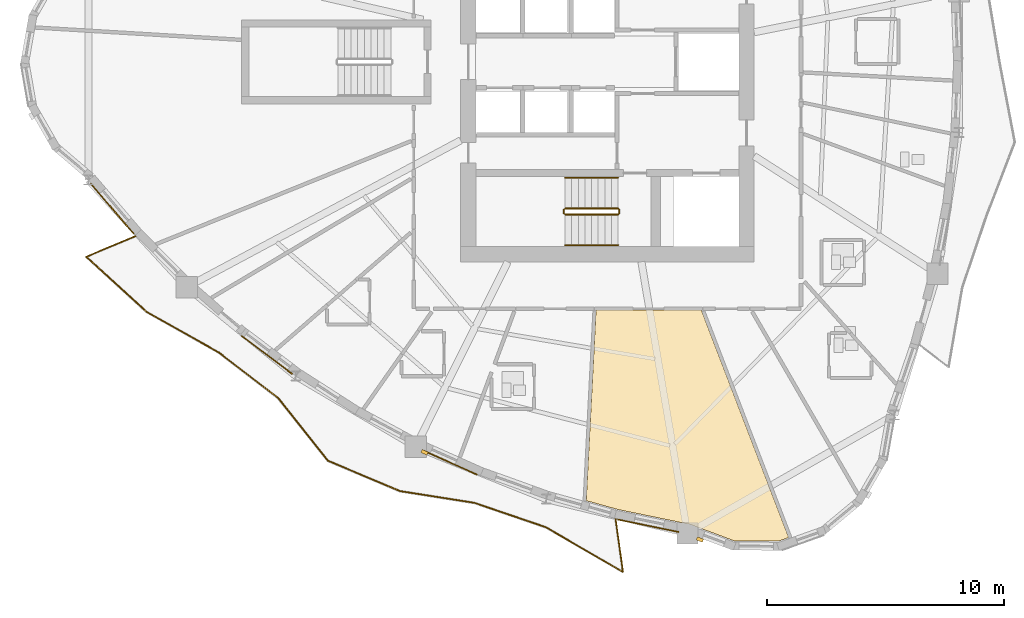
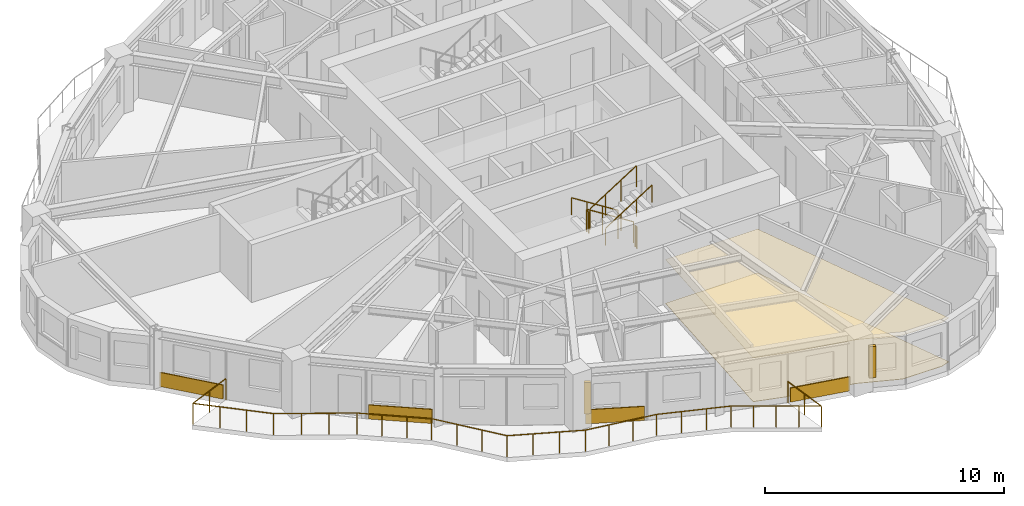
# One storey, part 10 of 13: 7 railings, 6 coverings, 2 shading devices.
"""IFC4 building model written with IfcOpenShell, lengths in metres."""

from ifc_helpers import new_model, si_unit, direction, frame, origin, origin_2d, place, context, subcontext, project, spatial, polyline, rectangle, circle, outline, extrude, source, transform, mapped, material, layer, layer_set, type_object, element, save


model = new_model("IFC4")

# Units and contexts
model_context = context("Model", 3, precision=1e-05, world=origin(), true_north=direction((0.0, 1.0)))
body_context = subcontext(model_context, "Body", "Model", "MODEL_VIEW")
ifc_project = project(units=[si_unit("LENGTHUNIT", "METRE"), si_unit("AREAUNIT", "SQUARE_METRE"), si_unit("VOLUMEUNIT", "CUBIC_METRE"), si_unit("PLANEANGLEUNIT", "RADIAN"), si_unit("MASSUNIT", "GRAM", prefix="KILO")], contexts=[model_context])

# Site, building, storey
site_placement = place(None, origin())
site = spatial("IfcSite", under=ifc_project, at=site_placement, CompositionType="ELEMENT")
building_placement = place(site_placement, origin())
building = spatial("IfcBuilding", under=site, at=building_placement, Name="Qafzar Sky-Pleat Residences", CompositionType="ELEMENT")
storey_placement = place(building_placement, frame((0.0, 0.0, 99.199951171875)))
storey = spatial("IfcBuildingStorey", under=building, at=storey_placement, Name="L29", CompositionType="ELEMENT", Elevation=99.199951171875)

# Coverings
ifc_material_1 = material(Name="Perforated acoustic gypsum board ceiling")
ifc_layer_1 = layer(ifc_material_1, 0.02001953125)
ifc_layer_set_1 = layer_set([ifc_layer_1], Name="Perforated acoustic gypsum board ceiling")
covering_type_1 = type_object("IfcCoveringType", Name="COV-CEIL-ACOUSTIC", PredefinedType="CEILING", material=ifc_layer_set_1)
covering_1_placement = place(storey_placement, frame((0.0, 0.0, 2.239990234375)))
element("IfcCovering", 1, at=covering_1_placement, inside=storey, type_object=covering_type_1, Name="L29 Co-Living Lounge Acoustic Ceiling", PredefinedType="CEILING", context=body_context, shape_type="SweptSolid", body=[
    extrude(outline(polyline([(37.58349609375, 5.749267578125), (35.69873046875, 5.76220703125), (33.840087890625, 6.456298828125), (30.7822265625, 7.086181640625), (29.45166015625, 7.45849609375), (29.867919921875, 15.510009765625), (34.315185546875, 15.510009765625), (38.006591796875, 5.900634765625), (37.58349609375, 5.749267578125)])), origin(), (0.0, 0.0, 1.0), 0.02001953125),
])
ifc_material_2 = material(Name="Honed porcelain and Riyadh stone tile flooring", Category="masonry")
ifc_layer_2 = layer(ifc_material_2, 0.02001953125)
ifc_layer_set_2 = layer_set([ifc_layer_2], Name="Honed porcelain and Riyadh stone tile flooring")
covering_type_2 = type_object("IfcCoveringType", Name="COV-FLR-PORCELAIN", PredefinedType="FLOORING", material=ifc_layer_set_2)
covering_2_placement = place(storey_placement, origin())
element("IfcCovering", 2, at=covering_2_placement, inside=storey, type_object=covering_type_2, Name="L29 Co-Living Lounge Honed Stone Flooring", PredefinedType="FLOORING", context=body_context, shape_type="SweptSolid", body=[
    extrude(outline(polyline([(37.58349609375, 5.749267578125), (35.69873046875, 5.76220703125), (33.840087890625, 6.456298828125), (30.7822265625, 7.086181640625), (29.45166015625, 7.45849609375), (29.867919921875, 15.510009765625), (34.315185546875, 15.510009765625), (38.006591796875, 5.900634765625), (37.58349609375, 5.749267578125)])), origin(), (0.0, 0.0, 1.0), 0.02001953125),
])

# Shading devices
ifc_material_3 = material(Name="Honed Riyadh limestone solar fin", Category="masonry")
ifc_layer_3 = layer(ifc_material_3, 0.139892578125)
ifc_layer_set_3 = layer_set([ifc_layer_3], Name="Honed Riyadh limestone solar fin")
shading_device_type = type_object("IfcShadingDeviceType", Name="SHD-FIN-STONE", PredefinedType="SHUTTER", material=ifc_layer_set_3)
shared_shape_1 = source(origin(), body_context, "Body", "SweptSolid", [
    extrude(rectangle(XDim=0.139892578125, YDim=0.280029296875, at=origin_2d()), origin(), (0.0, 0.0, 1.0), 1.60009765625),
])
for number, where, z_axis, x_axis, name in (
    (3, (22.621337890625, 9.502685546875, 0.60009765625), (0.0, 0.0, 1.0), (-0.407007311854, -0.913424900086, 0.0), "L29 Limestone Solar Fin 13"),
    (4, (34.257568359375, 5.814697265625, 0.60009765625), (0.0, 0.0, 1.0), (-0.349866381476, -0.936799613105, 0.0), "L29 Limestone Solar Fin 17"),
):
    element("IfcShadingDevice", number, at=place(storey_placement, frame(where, z_axis=z_axis, x_axis=x_axis)), inside=storey, type_object=shading_device_type, Name=name, PredefinedType="SHUTTER", context=body_context, shape_type="MappedRepresentation", body=[
        mapped(shared_shape_1, transform((0.0, 0.0, 0.0), x_axis=(1.0, 0.0, 0.0), y_axis=(0.0, 1.0, 0.0), z_axis=(0.0, 0.0, 1.0), scale=1.0)),
    ])

# Railing
ifc_material_4 = material(Name="Laminated glass and bronze steel balustrade", Category="steel")
railing_type_1 = type_object("IfcRailingType", Name="RAIL-BAL-1100", PredefinedType="BALUSTRADE", material=ifc_material_4)
shared_shape_2 = source(origin(), body_context, "Body", "SweptSolid", [
    extrude(circle(Radius=0.02392578125, at=origin_2d()), frame((0.0, 0.0, 1.076171875), z_axis=(-0.922372397599, -0.386301902853, 0.0), x_axis=(0.386301902853, -0.922372397599, 0.0)), (0.0, 0.0, 1.0), 2.270751953125),
    extrude(circle(Radius=0.02392578125, at=origin_2d()), frame((-2.094482421875, -0.877197265625, 1.076171875), z_axis=(0.737920092882, -0.67488809185, 0.0), x_axis=(0.67488809185, 0.737920092882, 0.0)), (0.0, 0.0, 1.0), 3.451171875),
    extrude(circle(Radius=0.02392578125, at=origin_2d()), frame((0.4521484375, -3.206298828125, 1.076171875), z_axis=(0.871838702574, -0.4897930958, 0.0), x_axis=(0.4897930958, 0.871838702574, 0.0)), (0.0, 0.0, 1.0), 3.49169921875),
    extrude(circle(Radius=0.02392578125, at=origin_2d()), frame((3.496337890625, -4.91650390625, 1.076171875), z_axis=(0.79366608484, -0.608353635458, 0.0), x_axis=(0.608353635458, 0.79366608484, 0.0)), (0.0, 0.0, 1.0), 3.157958984375),
    extrude(circle(Radius=0.02392578125, at=origin_2d()), frame((6.002685546875, -6.837646484375, 1.076171875), z_axis=(0.621723746758, -0.78323660711, 0.0), x_axis=(0.78323660711, 0.621723746758, 0.0)), (0.0, 0.0, 1.0), 3.39208984375),
    extrude(circle(Radius=0.02392578125, at=origin_2d()), frame((8.111572265625, -9.494384765625, 1.076171875), z_axis=(0.921530903709, -0.388305026376, 0.0), x_axis=(0.388305026376, 0.921530903709, 0.0)), (0.0, 0.0, 1.0), 3.30029296875),
    extrude(circle(Radius=0.02392578125, at=origin_2d()), frame((11.15283203125, -10.77587890625, 1.076171875), z_axis=(0.987713419374, -0.156276041632, 0.0), x_axis=(0.156276041632, 0.987713419374, 0.0)), (0.0, 0.0, 1.0), 3.199462890625),
    extrude(circle(Radius=0.02392578125, at=origin_2d()), frame((14.31298828125, -11.27587890625, 1.076171875), z_axis=(0.946044959925, -0.324035389735, 0.0), x_axis=(0.324035389735, 0.946044959925, 0.0)), (0.0, 0.0, 1.0), 3.17578125),
    extrude(circle(Radius=0.02392578125, at=origin_2d()), frame((17.3173828125, -12.304931640625, 1.076171875), z_axis=(0.865043001195, -0.501697723818, 0.0), x_axis=(0.501697723818, 0.865043001195, 0.0)), (0.0, 0.0, 1.0), 3.767578125),
    extrude(circle(Radius=0.02392578125, at=origin_2d()), frame((20.576416015625, -14.195068359375, 1.076171875), z_axis=(-0.138154338378, 0.990410712173, 0.0), x_axis=(-0.990410712173, -0.138154338378, 0.0)), (0.0, 0.0, 1.0), 2.270751953125),
    extrude(circle(Radius=0.02099609375, at=origin_2d()), origin(), (0.0, 0.0, 1.0), 1.052001953125),
    extrude(circle(Radius=0.02099609375, at=origin_2d()), frame((-1.04736328125, -0.4384765625, 0.0)), (0.0, 0.0, 1.0), 1.052001953125),
    extrude(circle(Radius=0.02099609375, at=origin_2d()), frame((-2.094482421875, -0.877197265625, 0.0)), (0.0, 0.0, 1.0), 1.052001953125),
    extrude(circle(Radius=0.02099609375, at=origin_2d()), frame((-1.24560546875, -1.653564453125, 0.0)), (0.0, 0.0, 1.0), 1.052001953125),
    extrude(circle(Radius=0.02099609375, at=origin_2d()), frame((-0.396728515625, -2.429931640625, 0.0)), (0.0, 0.0, 1.0), 1.052001953125),
    extrude(circle(Radius=0.02099609375, at=origin_2d()), frame((0.4521484375, -3.206298828125, 0.0)), (0.0, 0.0, 1.0), 1.052001953125),
    extrude(circle(Radius=0.02099609375, at=origin_2d()), frame((1.466796875, -3.7763671875, 0.0)), (0.0, 0.0, 1.0), 1.052001953125),
    extrude(circle(Radius=0.02099609375, at=origin_2d()), frame((2.481689453125, -4.346435546875, 0.0)), (0.0, 0.0, 1.0), 1.052001953125),
    extrude(circle(Radius=0.02099609375, at=origin_2d()), frame((3.496337890625, -4.91650390625, 0.0)), (0.0, 0.0, 1.0), 1.052001953125),
    extrude(circle(Radius=0.02099609375, at=origin_2d()), frame((4.331787109375, -5.556884765625, 0.0)), (0.0, 0.0, 1.0), 1.052001953125),
    extrude(circle(Radius=0.02099609375, at=origin_2d()), frame((5.167236328125, -6.197265625, 0.0)), (0.0, 0.0, 1.0), 1.052001953125),
    extrude(circle(Radius=0.02099609375, at=origin_2d()), frame((6.002685546875, -6.837646484375, 0.0)), (0.0, 0.0, 1.0), 1.052001953125),
    extrude(circle(Radius=0.02099609375, at=origin_2d()), frame((6.70556640625, -7.72314453125, 0.0)), (0.0, 0.0, 1.0), 1.052001953125),
    extrude(circle(Radius=0.02099609375, at=origin_2d()), frame((7.40869140625, -8.60888671875, 0.0)), (0.0, 0.0, 1.0), 1.052001953125),
    extrude(circle(Radius=0.02099609375, at=origin_2d()), frame((8.111572265625, -9.494384765625, 0.0)), (0.0, 0.0, 1.0), 1.052001953125),
    extrude(circle(Radius=0.02099609375, at=origin_2d()), frame((9.125244140625, -9.921630859375, 0.0)), (0.0, 0.0, 1.0), 1.052001953125),
    extrude(circle(Radius=0.02099609375, at=origin_2d()), frame((10.13916015625, -10.3486328125, 0.0)), (0.0, 0.0, 1.0), 1.052001953125),
    extrude(circle(Radius=0.02099609375, at=origin_2d()), frame((11.15283203125, -10.77587890625, 0.0)), (0.0, 0.0, 1.0), 1.052001953125),
    extrude(circle(Radius=0.02099609375, at=origin_2d()), frame((12.206298828125, -10.942626953125, 0.0)), (0.0, 0.0, 1.0), 1.052001953125),
    extrude(circle(Radius=0.02099609375, at=origin_2d()), frame((13.259521484375, -11.109130859375, 0.0)), (0.0, 0.0, 1.0), 1.052001953125),
    extrude(circle(Radius=0.02099609375, at=origin_2d()), frame((14.31298828125, -11.27587890625, 0.0)), (0.0, 0.0, 1.0), 1.052001953125),
    extrude(circle(Radius=0.02099609375, at=origin_2d()), frame((15.314453125, -11.618896484375, 0.0)), (0.0, 0.0, 1.0), 1.052001953125),
    extrude(circle(Radius=0.02099609375, at=origin_2d()), frame((16.31591796875, -11.9619140625, 0.0)), (0.0, 0.0, 1.0), 1.052001953125),
    extrude(circle(Radius=0.02099609375, at=origin_2d()), frame((17.3173828125, -12.304931640625, 0.0)), (0.0, 0.0, 1.0), 1.052001953125),
    extrude(circle(Radius=0.02099609375, at=origin_2d()), frame((18.132080078125, -12.77734375, 0.0)), (0.0, 0.0, 1.0), 1.052001953125),
    extrude(circle(Radius=0.02099609375, at=origin_2d()), frame((18.94677734375, -13.25, 0.0)), (0.0, 0.0, 1.0), 1.052001953125),
    extrude(circle(Radius=0.02099609375, at=origin_2d()), frame((19.76171875, -13.72265625, 0.0)), (0.0, 0.0, 1.0), 1.052001953125),
    extrude(circle(Radius=0.02099609375, at=origin_2d()), frame((20.576416015625, -14.195068359375, 0.0)), (0.0, 0.0, 1.0), 1.052001953125),
    extrude(circle(Radius=0.02099609375, at=origin_2d()), frame((20.41943359375, -13.070556640625, 0.0)), (0.0, 0.0, 1.0), 1.052001953125),
    extrude(circle(Radius=0.02099609375, at=origin_2d()), frame((20.2626953125, -11.946044921875, 0.0)), (0.0, 0.0, 1.0), 1.052001953125),
])
railing_1_placement = place(storey_placement, frame((10.42919921875, 18.64111328125, 0.0)))
element("IfcRailing", 5, at=railing_1_placement, inside=storey, type_object=railing_type_1, Name="L29 Pleated Balcony 3 Balustrade", PredefinedType="BALUSTRADE", context=body_context, shape_type="MappedRepresentation", body=[
    mapped(shared_shape_2, transform((0.0, 0.0, 0.0), x_axis=(1.0, 0.0, 0.0), y_axis=(0.0, 1.0, 0.0), z_axis=(0.0, 0.0, 1.0), scale=1.0)),
])

# Coverings
ifc_material_5 = material(Name="Honed Riyadh Tuwaiq limestone cladding", Category="masonry")
ifc_layer_4 = layer(ifc_material_5, 0.044921875)
ifc_layer_set_4 = layer_set([ifc_layer_4], Name="Honed Riyadh Tuwaiq limestone cladding")
covering_type_3 = type_object("IfcCoveringType", Name="COV-CLAD-STONE", PredefinedType="CLADDING", material=ifc_layer_set_4)
shared_shape_3 = source(origin(), body_context, "Body", "SweptSolid", [
    extrude(rectangle(XDim=2.811279296875, YDim=0.044921875, at=origin_2d()), origin(), (0.0, 0.0, 1.0), 0.719970703125),
])
covering_3_placement = place(storey_placement, frame((9.43212890625, 19.788330078125, 0.02001953125), z_axis=(0.0, 0.0, 1.0), x_axis=(0.650754460278, -0.759288240675, 0.0)))
element("IfcCovering", 6, at=covering_3_placement, inside=storey, type_object=covering_type_3, Name="L29 Riyadh Limestone Spandrel Cladding 7", PredefinedType="CLADDING", context=body_context, shape_type="MappedRepresentation", body=[
    mapped(shared_shape_3, transform((0.0, 0.0, 0.0), x_axis=(1.0, 0.0, 0.0), y_axis=(0.0, 1.0, 0.0), z_axis=(0.0, 0.0, 1.0), scale=1.0)),
])
shared_shape_4 = source(origin(), body_context, "Body", "SweptSolid", [
    extrude(rectangle(XDim=2.677978515625, YDim=0.044921875, at=origin_2d()), origin(), (0.0, 0.0, 1.0), 0.719970703125),
])
covering_4_placement = place(storey_placement, frame((15.966552734375, 13.6162109375, 0.02001953125), z_axis=(0.0, 0.0, 1.0), x_axis=(0.798383940109, -0.602148722639, 0.0)))
element("IfcCovering", 7, at=covering_4_placement, inside=storey, type_object=covering_type_3, Name="L29 Riyadh Limestone Spandrel Cladding 10", PredefinedType="CLADDING", context=body_context, shape_type="MappedRepresentation", body=[
    mapped(shared_shape_4, transform((0.0, 0.0, 0.0), x_axis=(1.0, 0.0, 0.0), y_axis=(0.0, 1.0, 0.0), z_axis=(0.0, 0.0, 1.0), scale=1.0)),
])
shared_shape_5 = source(origin(), body_context, "Body", "SweptSolid", [
    extrude(rectangle(XDim=2.489013671875, YDim=0.044921875, at=origin_2d()), origin(), (0.0, 0.0, 1.0), 0.719970703125),
])
covering_5_placement = place(storey_placement, frame((23.710205078125, 9.064697265625, 0.02001953125), z_axis=(0.0, 0.0, 1.0), x_axis=(0.913417453133, -0.407024024245, 0.0)))
element("IfcCovering", 8, at=covering_5_placement, inside=storey, type_object=covering_type_3, Name="L29 Riyadh Limestone Spandrel Cladding 13", PredefinedType="CLADDING", context=body_context, shape_type="MappedRepresentation", body=[
    mapped(shared_shape_5, transform((0.0, 0.0, 0.0), x_axis=(1.0, 0.0, 0.0), y_axis=(0.0, 1.0, 0.0), z_axis=(0.0, 0.0, 1.0), scale=1.0)),
])
shared_shape_6 = source(origin(), body_context, "Body", "SweptSolid", [
    extrude(rectangle(XDim=2.6220703125, YDim=0.044921875, at=origin_2d()), origin(), (0.0, 0.0, 1.0), 0.719970703125),
])
covering_6_placement = place(storey_placement, frame((32.0751953125, 6.399169921875, 0.02001953125), z_axis=(0.0, 0.0, 1.0), x_axis=(0.979428919574, -0.201789473218, 0.0)))
element("IfcCovering", 9, at=covering_6_placement, inside=storey, type_object=covering_type_3, Name="L29 Riyadh Limestone Spandrel Cladding 16", PredefinedType="CLADDING", context=body_context, shape_type="MappedRepresentation", body=[
    mapped(shared_shape_6, transform((0.0, 0.0, 0.0), x_axis=(1.0, 0.0, 0.0), y_axis=(0.0, 1.0, 0.0), z_axis=(0.0, 0.0, 1.0), scale=1.0)),
])

# Railings
ifc_material_6 = material(Name="Painted Steel S355 stair guardrail", Category="steel")
railing_type_2 = type_object("IfcRailingType", Name="RAIL-STAIR-GUARD", PredefinedType="GUARDRAIL", material=ifc_material_6)
shared_shape_7 = source(origin(), body_context, "Body", "SweptSolid", [
    extrude(circle(Radius=0.02392578125, at=origin_2d()), frame((0.0, 0.0, 1.076171875), z_axis=(0.0, -1.0, 0.0), x_axis=(1.0, 0.0, 0.0)), (0.0, 0.0, 1.0), 0.14990234375),
    extrude(circle(Radius=0.02099609375, at=origin_2d()), origin(), (0.0, 0.0, 1.0), 1.052001953125),
    extrude(circle(Radius=0.02099609375, at=origin_2d()), frame((0.0, -0.14990234375, 0.0)), (0.0, 0.0, 1.0), 1.052001953125),
])
for number, where, name in (
    (10, (28.510009765625, 19.75, 1.60009765625), "L29 ST1 stair guard 2"),
    (11, (30.85009765625, 19.75, 0.0), "L29 ST1 stair guard 4"),
):
    element("IfcRailing", number, at=place(storey_placement, frame(where)), inside=storey, type_object=railing_type_2, Name=name, PredefinedType="GUARDRAIL", context=body_context, shape_type="MappedRepresentation", body=[
        mapped(shared_shape_7, transform((0.0, 0.0, 0.0), x_axis=(1.0, 0.0, 0.0), y_axis=(0.0, 1.0, 0.0), z_axis=(0.0, 0.0, 1.0), scale=1.0)),
    ])
shared_shape_8 = source(origin(), body_context, "Body", "SweptSolid", [
    extrude(circle(Radius=0.02392578125, at=origin_2d()), frame((0.0, 0.0, 1.076171875), z_axis=(0.8442293374, 0.0, 0.53598211339), x_axis=(0.0, 1.0, 0.0)), (0.0, 0.0, 1.0), 2.6533203125),
    extrude(circle(Radius=0.02099609375, at=origin_2d()), origin(), (0.0, 0.0, 1.0), 1.052001953125),
    extrude(circle(Radius=0.02099609375, at=origin_2d()), frame((0.74658203125, 0.0, 0.47412109375)), (0.0, 0.0, 1.0), 1.052001953125),
    extrude(circle(Radius=0.02099609375, at=origin_2d()), frame((1.493408203125, 0.0, 0.947998046875)), (0.0, 0.0, 1.0), 1.052001953125),
    extrude(circle(Radius=0.02099609375, at=origin_2d()), frame((2.239990234375, 0.0, 1.422119140625)), (0.0, 0.0, 1.0), 1.052001953125),
])
railing_2_placement = place(storey_placement, frame((28.56005859375, 19.550048828125, 1.77783203125)))
element("IfcRailing", 12, at=railing_2_placement, inside=storey, type_object=railing_type_2, Name="L29 ST1 stair guard 3", PredefinedType="GUARDRAIL", context=body_context, shape_type="MappedRepresentation", body=[
    mapped(shared_shape_8, transform((0.0, 0.0, 0.0), x_axis=(1.0, 0.0, 0.0), y_axis=(0.0, 1.0, 0.0), z_axis=(0.0, 0.0, 1.0), scale=1.0)),
])
ifc_material_7 = material(Name="Brushed stainless steel handrail", Category="steel")
railing_type_3 = type_object("IfcRailingType", Name="RAIL-STAIR-HAND", PredefinedType="HANDRAIL", material=ifc_material_7)
shared_shape_9 = source(origin(), body_context, "Body", "SweptSolid", [
    extrude(circle(Radius=0.02392578125, at=origin_2d()), frame((0.0, 0.0, 0.8759765625), z_axis=(0.8442293374, 0.0, 0.53598211339), x_axis=(0.0, 1.0, 0.0)), (0.0, 0.0, 1.0), 2.6533203125),
    extrude(circle(Radius=0.02099609375, at=origin_2d()), origin(), (0.0, 0.0, 1.0), 0.851806640625),
    extrude(circle(Radius=0.02099609375, at=origin_2d()), frame((0.74658203125, 0.0, 0.47412109375)), (0.0, 0.0, 1.0), 0.851806640625),
    extrude(circle(Radius=0.02099609375, at=origin_2d()), frame((1.493408203125, 0.0, 0.947998046875)), (0.0, 0.0, 1.0), 0.851806640625),
    extrude(circle(Radius=0.02099609375, at=origin_2d()), frame((2.239990234375, 0.0, 1.422119140625)), (0.0, 0.0, 1.0), 0.851806640625),
])
railing_3_placement = place(storey_placement, frame((28.56005859375, 18.25, 1.77783203125)))
element("IfcRailing", 13, at=railing_3_placement, inside=storey, type_object=railing_type_3, Name="L29 ST1 stair handrail 2", PredefinedType="HANDRAIL", context=body_context, shape_type="MappedRepresentation", body=[
    mapped(shared_shape_9, transform((0.0, 0.0, 0.0), x_axis=(1.0, 0.0, 0.0), y_axis=(0.0, 1.0, 0.0), z_axis=(0.0, 0.0, 1.0), scale=1.0)),
])
shared_shape_10 = source(origin(), body_context, "Body", "SweptSolid", [
    extrude(circle(Radius=0.02392578125, at=origin_2d()), frame((0.0, 0.0, 1.076171875), z_axis=(-0.84418770128, 0.0, 0.536047689118), x_axis=(0.0, -1.0, 0.0)), (0.0, 0.0, 1.0), 2.6533203125),
    extrude(circle(Radius=0.02099609375, at=origin_2d()), origin(), (0.0, 0.0, 1.0), 1.052001953125),
    extrude(circle(Radius=0.02099609375, at=origin_2d()), frame((-0.74658203125, 0.0, 0.47412109375)), (0.0, 0.0, 1.0), 1.052001953125),
    extrude(circle(Radius=0.02099609375, at=origin_2d()), frame((-1.493408203125, 0.0, 0.9482421875)), (0.0, 0.0, 1.0), 1.052001953125),
    extrude(circle(Radius=0.02099609375, at=origin_2d()), frame((-2.239990234375, 0.0, 1.42236328125)), (0.0, 0.0, 1.0), 1.052001953125),
])
railing_4_placement = place(storey_placement, frame((30.800048828125, 19.800048828125, 0.177734375)))
element("IfcRailing", 14, at=railing_4_placement, inside=storey, type_object=railing_type_2, Name="L29 ST1 stair guard 1", PredefinedType="GUARDRAIL", context=body_context, shape_type="MappedRepresentation", body=[
    mapped(shared_shape_10, transform((0.0, 0.0, 0.0), x_axis=(1.0, 0.0, 0.0), y_axis=(0.0, 1.0, 0.0), z_axis=(0.0, 0.0, 1.0), scale=1.0)),
])
shared_shape_11 = source(origin(), body_context, "Body", "SweptSolid", [
    extrude(circle(Radius=0.02392578125, at=origin_2d()), frame((0.0, 0.0, 0.8759765625), z_axis=(-0.84418770128, 0.0, 0.536047689118), x_axis=(0.0, -1.0, 0.0)), (0.0, 0.0, 1.0), 2.6533203125),
    extrude(circle(Radius=0.02099609375, at=origin_2d()), origin(), (0.0, 0.0, 1.0), 0.851806640625),
    extrude(circle(Radius=0.02099609375, at=origin_2d()), frame((-0.74658203125, 0.0, 0.47412109375)), (0.0, 0.0, 1.0), 0.851806640625),
    extrude(circle(Radius=0.02099609375, at=origin_2d()), frame((-1.493408203125, 0.0, 0.9482421875)), (0.0, 0.0, 1.0), 0.851806640625),
    extrude(circle(Radius=0.02099609375, at=origin_2d()), frame((-2.239990234375, 0.0, 1.42236328125)), (0.0, 0.0, 1.0), 0.851806640625),
])
railing_5_placement = place(storey_placement, frame((30.800048828125, 21.10009765625, 0.177734375)))
element("IfcRailing", 15, at=railing_5_placement, inside=storey, type_object=railing_type_3, Name="L29 ST1 stair handrail 1", PredefinedType="HANDRAIL", context=body_context, shape_type="MappedRepresentation", body=[
    mapped(shared_shape_11, transform((0.0, 0.0, 0.0), x_axis=(1.0, 0.0, 0.0), y_axis=(0.0, 1.0, 0.0), z_axis=(0.0, 0.0, 1.0), scale=1.0)),
])

save(model, "model.ifc")
